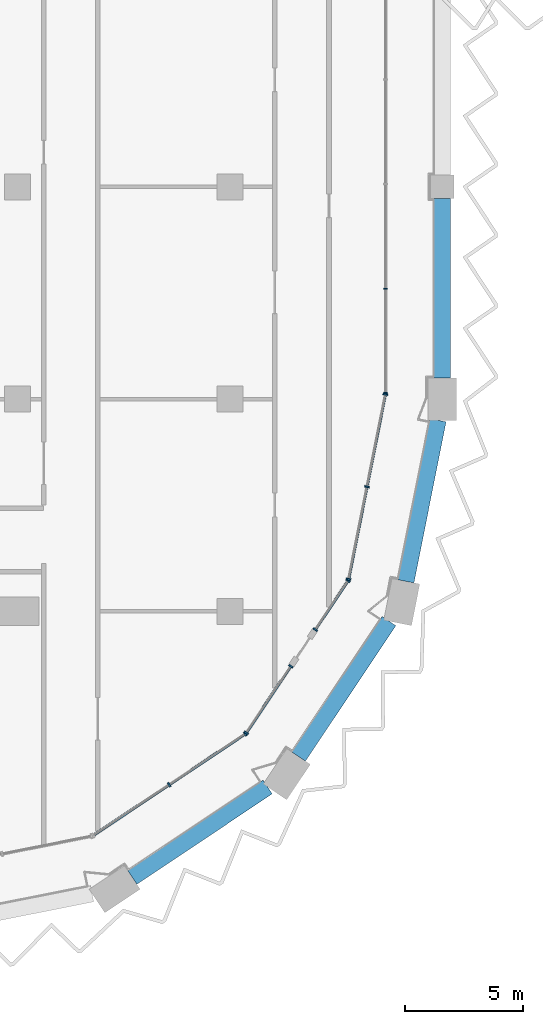
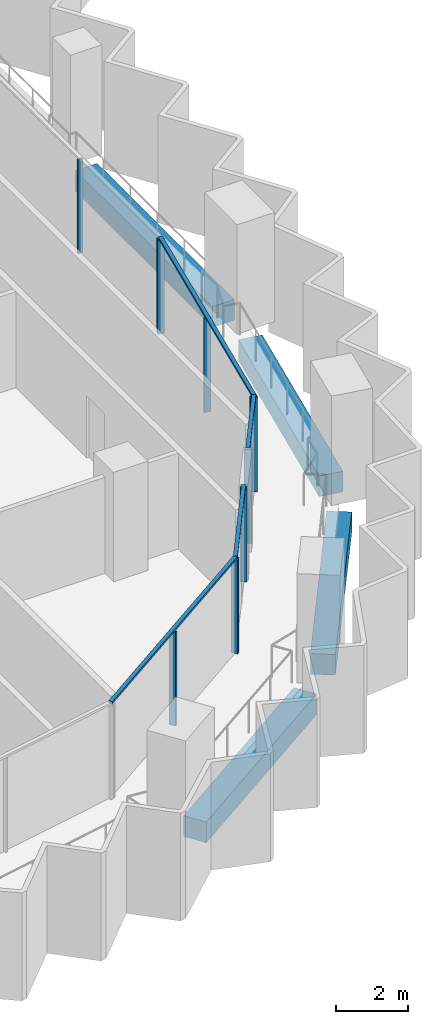
# One storey, part 4 of 18: 15 members, 4 beams, 5 elements without a shape of their own.
"""IFC4 building model written with IfcOpenShell, lengths in metres."""

from ifc_helpers import new_model, si_unit, direction, frame, origin, origin_2d, place, context, subcontext, project, spatial, rectangle, extrude, material, material_profile, profile_set, type_object, element, aggregate, save


model = new_model("IFC4")

# Units and contexts
model_context = context("Model", 3, precision=1e-05, world=origin(), true_north=direction((0.0, 1.0)))
body_context = subcontext(model_context, "Body", "Model", "MODEL_VIEW")
ifc_project = project(units=[si_unit("LENGTHUNIT", "METRE"), si_unit("AREAUNIT", "SQUARE_METRE"), si_unit("VOLUMEUNIT", "CUBIC_METRE"), si_unit("PLANEANGLEUNIT", "RADIAN"), si_unit("MASSUNIT", "GRAM", prefix="KILO")], contexts=[model_context])

# Site, building, storey
site_placement = place(None, origin())
site = spatial("IfcSite", under=ifc_project, at=site_placement, CompositionType="ELEMENT")
building_placement = place(site_placement, origin())
building = spatial("IfcBuilding", under=site, at=building_placement, Name="Hunhe Ridgeline Campus", CompositionType="ELEMENT")
storey_placement = place(building_placement, frame((0.0, 0.0, 223.5)))
storey = spatial("IfcBuildingStorey", under=building, at=storey_placement, Name="L57", CompositionType="ELEMENT", Elevation=223.5)

# Curtain wall, members
ifc_material_1 = material(Name="Aluminium 6063", Category="aluminium")
curtain_wall_type_1 = type_object("IfcCurtainWallType", Name="Curtain wall CW-1", PredefinedType="NOTDEFINED", material=ifc_material_1)
curtain_wall_1_placement = place(storey_placement, origin())
curtain_wall_1 = element("IfcCurtainWall", 1, at=curtain_wall_1_placement, inside=storey, type_object=curtain_wall_type_1, Name="Curtain wall 11", PredefinedType="NOTDEFINED")
ifc_material_profile_1 = material_profile(ifc_material_1, rectangle(XDim=0.159912109375, YDim=0.06005859375, at=origin_2d()))
ifc_profile_set_1 = profile_set([ifc_material_profile_1], Name="Aluminium 6063")
member_type_1 = type_object("IfcMemberType", Name="CW-1 aluminium mullion", PredefinedType="MULLION", material=ifc_profile_set_1)
member_1_placement = place(storey_placement, frame((42.59912109375, 36.266357421875, 0.0), z_axis=(0.0, 0.0, 1.0), x_axis=(-0.999999999978, 6.642653e-06, 0.0)))
member_1 = element("IfcMember", 2, at=member_1_placement, type_object=member_type_1, Name="CW-1 mullion 1", PredefinedType="MULLION", context=body_context, shape_type="SweptSolid", body=[
    extrude(rectangle(XDim=0.159912109375, YDim=0.06005859375, at=origin_2d()), origin(), (0.0, 0.0, 1.0), 3.18994140625),
])
member_2_placement = place(storey_placement, frame((42.59912109375, 40.677490234375, 0.0), z_axis=(0.0, 0.0, 1.0), x_axis=(-0.999999999978, 6.642653e-06, 0.0)))
member_2 = element("IfcMember", 3, at=member_2_placement, type_object=member_type_1, Name="CW-1 mullion 2", PredefinedType="MULLION", context=body_context, shape_type="SweptSolid", body=[
    extrude(rectangle(XDim=0.159912109375, YDim=0.06005859375, at=origin_2d()), origin(), (0.0, 0.0, 1.0), 3.18994140625),
])
aggregate(curtain_wall_1, [member_1, member_2])

curtain_wall_type_2 = type_object("IfcCurtainWallType", Name="Curtain wall CW-5", PredefinedType="NOTDEFINED", material=ifc_material_1)
curtain_wall_2_placement = place(storey_placement, origin())
curtain_wall_2 = element("IfcCurtainWall", 4, at=curtain_wall_2_placement, inside=storey, type_object=curtain_wall_type_2, Name="Curtain wall 07", PredefinedType="NOTDEFINED")
ifc_material_profile_2 = material_profile(ifc_material_1, rectangle(XDim=0.199951171875, YDim=0.070068359375, at=origin_2d()))
ifc_profile_set_2 = profile_set([ifc_material_profile_2], Name="Aluminium 6063")
member_type_2 = type_object("IfcMemberType", Name="CW-5 aluminium mullion", PredefinedType="MULLION", material=ifc_profile_set_2)
member_3_placement = place(storey_placement, frame((33.42626953125, 19.647705078125, 0.0), z_axis=(0.0, 0.0, 1.0), x_axis=(-0.555570274596, 0.831469584522, 0.0)))
member_3 = element("IfcMember", 5, at=member_3_placement, type_object=member_type_2, Name="CW-5 mullion 2", PredefinedType="MULLION", context=body_context, shape_type="SweptSolid", body=[
    extrude(rectangle(XDim=0.199951171875, YDim=0.070068359375, at=origin_2d()), origin(), (0.0, 0.0, 1.0), 3.179931640625),
])
member_4_placement = place(storey_placement, frame((36.649658203125, 21.8017578125, 0.0), z_axis=(0.0, 0.0, 1.0), x_axis=(-0.555570274596, 0.831469584522, 0.0)))
member_4 = element("IfcMember", 6, at=member_4_placement, type_object=member_type_2, Name="CW-5 mullion 3", PredefinedType="MULLION", context=body_context, shape_type="SweptSolid", body=[
    extrude(rectangle(XDim=0.199951171875, YDim=0.070068359375, at=origin_2d()), origin(), (0.0, 0.0, 1.0), 3.179931640625),
])

curtain_wall_3_placement = place(storey_placement, origin())
curtain_wall_3 = element("IfcCurtainWall", 7, at=curtain_wall_3_placement, inside=storey, type_object=curtain_wall_type_2, Name="Curtain wall 08", PredefinedType="NOTDEFINED")
member_5_placement = place(storey_placement, frame((36.6982421875, 21.850341796875, 0.0), z_axis=(0.0, 0.0, 1.0), x_axis=(-0.831469595944, 0.555570257501, 0.0)))
member_5 = element("IfcMember", 8, at=member_5_placement, type_object=member_type_2, Name="CW-5 mullion 1", PredefinedType="MULLION", context=body_context, shape_type="SweptSolid", body=[
    extrude(rectangle(XDim=0.199951171875, YDim=0.070068359375, at=origin_2d()), origin(), (0.0, 0.0, 1.0), 3.179931640625),
])
member_6_placement = place(storey_placement, frame((38.582763671875, 24.67041015625, 0.0), z_axis=(0.0, 0.0, 1.0), x_axis=(-0.831469595944, 0.555570257501, 0.0)))
member_6 = element("IfcMember", 9, at=member_6_placement, type_object=member_type_2, Name="CW-5 mullion 2", PredefinedType="MULLION", context=body_context, shape_type="SweptSolid", body=[
    extrude(rectangle(XDim=0.199951171875, YDim=0.070068359375, at=origin_2d()), origin(), (0.0, 0.0, 1.0), 3.179931640625),
])

curtain_wall_4_placement = place(storey_placement, origin())
curtain_wall_4 = element("IfcCurtainWall", 10, at=curtain_wall_4_placement, inside=storey, type_object=curtain_wall_type_2, Name="Curtain wall 09", PredefinedType="NOTDEFINED")
member_7_placement = place(storey_placement, frame((39.62158203125, 26.225341796875, 0.0), z_axis=(0.0, 0.0, 1.0), x_axis=(-0.831469510353, 0.555570385598, 0.0)))
member_7 = element("IfcMember", 11, at=member_7_placement, type_object=member_type_2, Name="CW-5 mullion 1", PredefinedType="MULLION", context=body_context, shape_type="SweptSolid", body=[
    extrude(rectangle(XDim=0.199951171875, YDim=0.070068359375, at=origin_2d()), origin(), (0.0, 0.0, 1.0), 3.179931640625),
])
member_8_placement = place(storey_placement, frame((41.006103515625, 28.29736328125, 0.0), z_axis=(0.0, 0.0, 1.0), x_axis=(-0.831469510353, 0.555570385598, 0.0)))
member_8 = element("IfcMember", 12, at=member_8_placement, type_object=member_type_2, Name="CW-5 mullion 2", PredefinedType="MULLION", context=body_context, shape_type="SweptSolid", body=[
    extrude(rectangle(XDim=0.199951171875, YDim=0.070068359375, at=origin_2d()), origin(), (0.0, 0.0, 1.0), 3.179931640625),
])

curtain_wall_5_placement = place(storey_placement, origin())
curtain_wall_5 = element("IfcCurtainWall", 13, at=curtain_wall_5_placement, inside=storey, type_object=curtain_wall_type_2, Name="Curtain wall 10", PredefinedType="NOTDEFINED")
member_9_placement = place(storey_placement, frame((41.032470703125, 28.36083984375, 0.0), z_axis=(0.0, 0.0, 1.0), x_axis=(-0.980785284939, 0.195090299215, 0.0)))
member_9 = element("IfcMember", 14, at=member_9_placement, type_object=member_type_2, Name="CW-5 mullion 1", PredefinedType="MULLION", context=body_context, shape_type="SweptSolid", body=[
    extrude(rectangle(XDim=0.199951171875, YDim=0.070068359375, at=origin_2d()), origin(), (0.0, 0.0, 1.0), 3.179931640625),
])
member_10_placement = place(storey_placement, frame((41.812255859375, 32.281494140625, 0.0), z_axis=(0.0, 0.0, 1.0), x_axis=(-0.980785284939, 0.195090299215, 0.0)))
member_10 = element("IfcMember", 15, at=member_10_placement, type_object=member_type_2, Name="CW-5 mullion 2", PredefinedType="MULLION", context=body_context, shape_type="SweptSolid", body=[
    extrude(rectangle(XDim=0.199951171875, YDim=0.070068359375, at=origin_2d()), origin(), (0.0, 0.0, 1.0), 3.179931640625),
])
member_11_placement = place(storey_placement, frame((42.59228515625, 36.2021484375, 0.0), z_axis=(0.0, 0.0, 1.0), x_axis=(-0.980785284939, 0.195090299215, 0.0)))
member_11 = element("IfcMember", 16, at=member_11_placement, type_object=member_type_2, Name="CW-5 mullion 3", PredefinedType="MULLION", context=body_context, shape_type="SweptSolid", body=[
    extrude(rectangle(XDim=0.199951171875, YDim=0.070068359375, at=origin_2d()), origin(), (0.0, 0.0, 1.0), 3.179931640625),
])

# Member
ifc_material_profile_3 = material_profile(ifc_material_1, rectangle(XDim=0.1201171875, YDim=0.070068359375, at=origin_2d()))
ifc_profile_set_3 = profile_set([ifc_material_profile_3], Name="Aluminium 6063")
member_type_3 = type_object("IfcMemberType", Name="CW-5 aluminium transom", PredefinedType="USERDEFINED", material=ifc_profile_set_3)
member_12_placement = place(storey_placement, frame((30.173583984375, 17.474365234375, 3.215087890625), z_axis=(0.831473763475, 0.5555640203, 0.0), x_axis=(-0.5555640203, 0.831473763475, 0.0)))
member_12 = element("IfcMember", 17, at=member_12_placement, type_object=member_type_3, Name="CW-5 transom 1", ObjectType="TRANSOM", PredefinedType="USERDEFINED", context=body_context, shape_type="SweptSolid", body=[
    extrude(rectangle(XDim=0.1201171875, YDim=0.070068359375, at=origin_2d()), origin(), (0.0, 0.0, 1.0), 7.823974609375),
])

aggregate(curtain_wall_2, [member_12, member_3, member_4])

member_13_placement = place(storey_placement, frame((36.678955078125, 21.821044921875, 3.215087890625), z_axis=(0.555546133463, 0.831485714606, 0.0), x_axis=(-0.831485714606, 0.555546133463, 0.0)))
member_13 = element("IfcMember", 18, at=member_13_placement, type_object=member_type_3, Name="CW-5 transom 1", ObjectType="TRANSOM", PredefinedType="USERDEFINED", context=body_context, shape_type="SweptSolid", body=[
    extrude(rectangle(XDim=0.1201171875, YDim=0.070068359375, at=origin_2d()), origin(), (0.0, 0.0, 1.0), 3.462158203125),
])

aggregate(curtain_wall_3, [member_13, member_5, member_6])

member_14_placement = place(storey_placement, frame((39.602294921875, 26.1962890625, 3.215087890625), z_axis=(0.555579547735, 0.831463388334, 0.0), x_axis=(-0.831463388334, 0.555579547735, 0.0)))
member_14 = element("IfcMember", 19, at=member_14_placement, type_object=member_type_3, Name="CW-5 transom 1", ObjectType="TRANSOM", PredefinedType="USERDEFINED", context=body_context, shape_type="SweptSolid", body=[
    extrude(rectangle(XDim=0.1201171875, YDim=0.070068359375, at=origin_2d()), origin(), (0.0, 0.0, 1.0), 2.56201171875),
])

aggregate(curtain_wall_4, [member_14, member_7, member_8])

member_15_placement = place(storey_placement, frame((41.025634765625, 28.326416015625, 3.215087890625), z_axis=(0.195097290093, 0.980783894341, 0.0), x_axis=(-0.980783894341, 0.195097290093, 0.0)))
member_15 = element("IfcMember", 20, at=member_15_placement, type_object=member_type_3, Name="CW-5 transom 1", ObjectType="TRANSOM", PredefinedType="USERDEFINED", context=body_context, shape_type="SweptSolid", body=[
    extrude(rectangle(XDim=0.1201171875, YDim=0.070068359375, at=origin_2d()), origin(), (0.0, 0.0, 1.0), 8.065185546875),
])

aggregate(curtain_wall_5, [member_15, member_9, member_10, member_11])

# Beams
ifc_material_2 = material(Name="Concrete C50", Category="concrete")
ifc_material_profile_4 = material_profile(ifc_material_2, rectangle(XDim=0.699951171875, YDim=0.699951171875, at=origin_2d()))
ifc_profile_set_4 = profile_set([ifc_material_profile_4], Name="Concrete C50")
beam_type = type_object("IfcBeamType", Name="RC spandrel beam 700x700 Concrete C50", PredefinedType="SPANDREL", material=ifc_profile_set_4)
for number, where, z_axis, x_axis, name in (
    (21, (31.858642578125, 15.712646484375, -0.60009765625), (0.831467796868, 0.55557295, 0.0), (-0.55557295, 0.831467796868, 0.0), "Spandrel beam B3-6 L57"),
    (22, (38.909912109375, 20.83837890625, -0.60009765625), (0.55557295, 0.831467796868, 0.0), (-0.831467796868, 0.55557295, 0.0), "Spandrel beam B3-7 L57"),
):
    element("IfcBeam", number, at=place(storey_placement, frame(where, z_axis=z_axis, x_axis=x_axis)), inside=storey, type_object=beam_type, Name=name, PredefinedType="SPANDREL", context=body_context, shape_type="SweptSolid", body=[
        extrude(rectangle(XDim=0.699951171875, YDim=0.699951171875, at=origin_2d()), origin(), (0.0, 0.0, 1.0), 6.905029296875),
    ])
beam_1_placement = place(storey_placement, frame((43.462890625, 28.272216796875, -0.60009765625), z_axis=(0.195090923217, 0.980785160817, 0.0), x_axis=(-0.980785160817, 0.195090923217, 0.0)))
element("IfcBeam", 23, at=beam_1_placement, inside=storey, type_object=beam_type, Name="Spandrel beam B3-8 L57", PredefinedType="SPANDREL", context=body_context, shape_type="SweptSolid", body=[
    extrude(rectangle(XDim=0.699951171875, YDim=0.699951171875, at=origin_2d()), origin(), (0.0, 0.0, 1.0), 6.961669921875),
])
beam_2_placement = place(storey_placement, frame((45.0, 36.89990234375, -0.60009765625), z_axis=(0.0, 1.0, 0.0), x_axis=(-1.0, 0.0, 0.0)))
element("IfcBeam", 24, at=beam_2_placement, inside=storey, type_object=beam_type, Name="Spandrel beam B3-9 L57", PredefinedType="SPANDREL", context=body_context, shape_type="SweptSolid", body=[
    extrude(rectangle(XDim=0.699951171875, YDim=0.699951171875, at=origin_2d()), origin(), (0.0, 0.0, 1.0), 7.60009765625),
])

save(model, "model.ifc")
